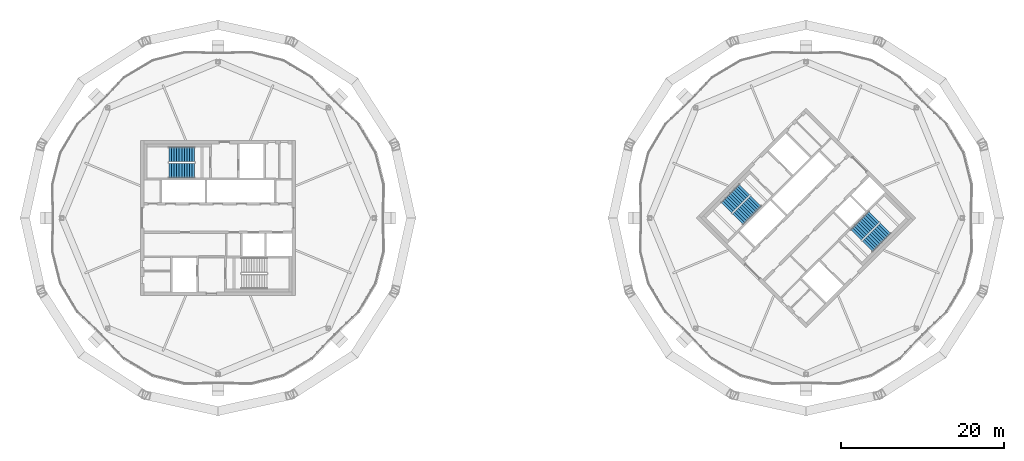
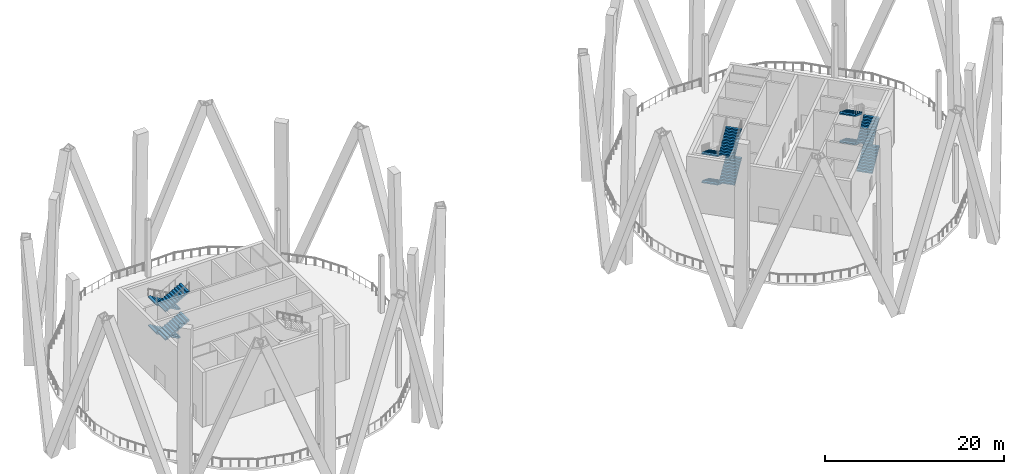
# One storey, part 8 of 13: 12 stair flights, 3 elements without a shape of their own.
"""IFC4 building model written with IfcOpenShell, lengths in metres."""

from ifc_helpers import new_model, si_unit, direction, frame, origin, place, context, subcontext, project, spatial, polyline, outline, extrude, material, type_object, element, aggregate, save


model = new_model("IFC4")

# Units and contexts
model_context = context("Model", 3, precision=1e-05, world=origin(), true_north=direction((0.0, 1.0)))
body_context = subcontext(model_context, "Body", "Model", "MODEL_VIEW")
ifc_project = project(units=[si_unit("LENGTHUNIT", "METRE"), si_unit("AREAUNIT", "SQUARE_METRE"), si_unit("VOLUMEUNIT", "CUBIC_METRE"), si_unit("PLANEANGLEUNIT", "RADIAN"), si_unit("MASSUNIT", "GRAM", prefix="KILO")], contexts=[model_context])

# Site, building, storey
site_placement = place(None, origin())
site = spatial("IfcSite", under=ifc_project, at=site_placement, CompositionType="ELEMENT")
building_placement = place(site_placement, origin())
building = spatial("IfcBuilding", under=site, at=building_placement, Name="Ogive Gate Towers", CompositionType="ELEMENT")
storey_placement = place(building_placement, frame((0.0, 0.0, 221.10009765625)))
storey = spatial("IfcBuildingStorey", under=building, at=storey_placement, Name="L53", CompositionType="ELEMENT", Elevation=221.10009765625)

# Stair, stair flights
ifc_material = material(Name="Concrete C40/50", Category="concrete")
stair_type = type_object("IfcStairType", Name="Escape stair 1840 wide", PredefinedType="HALF_TURN_STAIR", material=ifc_material)
stair_1_placement = place(storey_placement, origin())
stair_1 = element("IfcStair", 1, at=stair_1_placement, inside=storey, type_object=stair_type, Name="L53 Escape stair 1", PredefinedType="HALF_TURN_STAIR")
stair_flight_type = type_object("IfcStairFlightType", Name="Stair flight 1840 wide", PredefinedType="STRAIGHT", material=ifc_material)
stair_flight_1_placement = place(storey_placement, frame((-38.864990234375, 7.780029296875, 0.0), z_axis=(0.0, 0.0, 1.0), x_axis=(-1.0, 0.0, 0.0)))
stair_flight_1 = element("IfcStairFlight", 2, at=stair_flight_1_placement, type_object=stair_flight_type, Name="ST1 flight 1", NumberOfRisers=11, NumberOfTreads=10, PredefinedType="STRAIGHT", RiserHeight=0.177272727, TreadLength=0.313636364, context=body_context, shape_type="SweptSolid", body=[
    extrude(outline(polyline([(0.0, 0.0), (0.0, 0.17724609375), (0.313720703125, 0.17724609375), (0.313720703125, 0.3544921875), (0.627197265625, 0.3544921875), (0.627197265625, 0.53173828125), (0.94091796875, 0.53173828125), (0.94091796875, 0.708984375), (1.254638671875, 0.708984375), (1.254638671875, 0.886474609375), (1.568115234375, 0.886474609375), (1.568115234375, 1.063720703125), (1.8818359375, 1.063720703125), (1.8818359375, 1.240966796875), (2.195556640625, 1.240966796875), (2.195556640625, 1.418212890625), (2.509033203125, 1.418212890625), (2.509033203125, 1.595458984375), (2.82275390625, 1.595458984375), (2.82275390625, 1.772705078125), (3.136474609375, 1.772705078125), (3.136474609375, 1.949951171875), (3.136474609375, 1.6005859375), (0.3046875, 0.0), (0.0, 0.0)])), frame((0.0, 0.919921875, 0.0), z_axis=(0.0, -1.0, 0.0), x_axis=(1.0, 0.0, 0.0)), (0.0, 0.0, 1.0), 1.840087890625),
])
stair_flight_2_placement = place(storey_placement, frame((-42.00146484375, 5.794921875, 1.949951171875), z_axis=(0.0, 0.0, 1.0), x_axis=(1.0, 0.0, 0.0)))
stair_flight_2 = element("IfcStairFlight", 3, at=stair_flight_2_placement, type_object=stair_flight_type, Name="ST1 flight 2", NumberOfRisers=11, NumberOfTreads=10, PredefinedType="STRAIGHT", RiserHeight=0.177272727, TreadLength=0.313636364, context=body_context, shape_type="SweptSolid", body=[
    extrude(outline(polyline([(0.0, 0.0), (0.0, 0.17724609375), (0.313720703125, 0.17724609375), (0.313720703125, 0.3544921875), (0.627197265625, 0.3544921875), (0.627197265625, 0.53173828125), (0.94091796875, 0.53173828125), (0.94091796875, 0.708984375), (1.254638671875, 0.708984375), (1.254638671875, 0.886474609375), (1.568115234375, 0.886474609375), (1.568115234375, 1.063720703125), (1.8818359375, 1.063720703125), (1.8818359375, 1.240966796875), (2.195556640625, 1.240966796875), (2.195556640625, 1.418212890625), (2.509033203125, 1.418212890625), (2.509033203125, 1.595458984375), (2.82275390625, 1.595458984375), (2.82275390625, 1.772705078125), (3.136474609375, 1.772705078125), (3.136474609375, 1.949951171875), (3.136474609375, 1.6005859375), (0.3046875, 0.0), (0.0, 0.0)])), frame((0.0, 0.919921875, 0.0), z_axis=(0.0, -1.0, 0.0), x_axis=(1.0, 0.0, 0.0)), (0.0, 0.0, 1.0), 1.840087890625),
])
stair_flight_3_placement = place(storey_placement, frame((-38.864990234375, 7.780029296875, 3.89990234375), z_axis=(0.0, 0.0, 1.0), x_axis=(-1.0, 0.0, 0.0)))
stair_flight_3 = element("IfcStairFlight", 4, at=stair_flight_3_placement, type_object=stair_flight_type, Name="ST1 flight 3", NumberOfRisers=11, NumberOfTreads=10, PredefinedType="STRAIGHT", RiserHeight=0.177272727, TreadLength=0.313636364, context=body_context, shape_type="SweptSolid", body=[
    extrude(outline(polyline([(0.0, 0.0), (0.0, 0.17724609375), (0.313720703125, 0.17724609375), (0.313720703125, 0.3544921875), (0.627197265625, 0.3544921875), (0.627197265625, 0.53173828125), (0.94091796875, 0.53173828125), (0.94091796875, 0.708984375), (1.254638671875, 0.708984375), (1.254638671875, 0.886474609375), (1.568115234375, 0.886474609375), (1.568115234375, 1.063720703125), (1.8818359375, 1.063720703125), (1.8818359375, 1.240966796875), (2.195556640625, 1.240966796875), (2.195556640625, 1.418212890625), (2.509033203125, 1.418212890625), (2.509033203125, 1.595458984375), (2.82275390625, 1.595458984375), (2.82275390625, 1.772705078125), (3.136474609375, 1.772705078125), (3.136474609375, 1.949951171875), (3.136474609375, 1.6005859375), (0.3046875, 0.0), (0.0, 0.0)])), frame((0.0, 0.919921875, 0.0), z_axis=(0.0, -1.0, 0.0), x_axis=(1.0, 0.0, 0.0)), (0.0, 0.0, 1.0), 1.840087890625),
])
stair_flight_4_placement = place(storey_placement, frame((-42.00146484375, 5.794921875, 5.849853515625), z_axis=(0.0, 0.0, 1.0), x_axis=(1.0, 0.0, 0.0)))
stair_flight_4 = element("IfcStairFlight", 5, at=stair_flight_4_placement, type_object=stair_flight_type, Name="ST1 flight 4", NumberOfRisers=11, NumberOfTreads=10, PredefinedType="STRAIGHT", RiserHeight=0.177272727, TreadLength=0.313636364, context=body_context, shape_type="SweptSolid", body=[
    extrude(outline(polyline([(0.0, 0.0), (0.0, 0.17724609375), (0.313720703125, 0.17724609375), (0.313720703125, 0.3544921875), (0.627197265625, 0.3544921875), (0.627197265625, 0.53173828125), (0.94091796875, 0.53173828125), (0.94091796875, 0.708984375), (1.254638671875, 0.708984375), (1.254638671875, 0.886474609375), (1.568115234375, 0.886474609375), (1.568115234375, 1.063720703125), (1.8818359375, 1.063720703125), (1.8818359375, 1.240966796875), (2.195556640625, 1.240966796875), (2.195556640625, 1.418212890625), (2.509033203125, 1.418212890625), (2.509033203125, 1.595458984375), (2.82275390625, 1.595458984375), (2.82275390625, 1.772705078125), (3.136474609375, 1.772705078125), (3.136474609375, 1.949951171875), (3.136474609375, 1.6005859375), (0.3046875, 0.0), (0.0, 0.0)])), frame((0.0, 0.919921875, 0.0), z_axis=(0.0, -1.0, 0.0), x_axis=(1.0, 0.0, 0.0)), (0.0, 0.0, 1.0), 1.840087890625),
])
aggregate(stair_1, [stair_flight_1, stair_flight_2, stair_flight_3, stair_flight_4])

stair_2_placement = place(storey_placement, origin())
stair_2 = element("IfcStair", 6, at=stair_2_placement, inside=storey, type_object=stair_type, Name="L53 Escape stair 1", PredefinedType="HALF_TURN_STAIR")
stair_flight_5_placement = place(storey_placement, frame((28.472900390625, 3.475341796875, 0.0), z_axis=(0.0, 0.0, 1.0), x_axis=(-0.707106781187, -0.707106781187, 0.0)))
stair_flight_5 = element("IfcStairFlight", 7, at=stair_flight_5_placement, type_object=stair_flight_type, Name="ST1 flight 1", NumberOfRisers=11, NumberOfTreads=10, PredefinedType="STRAIGHT", RiserHeight=0.177272727, TreadLength=0.313636364, context=body_context, shape_type="SweptSolid", body=[
    extrude(outline(polyline([(0.0, 0.0), (0.0, 0.17724609375), (0.313720703125, 0.17724609375), (0.313720703125, 0.3544921875), (0.627197265625, 0.3544921875), (0.627197265625, 0.53173828125), (0.94091796875, 0.53173828125), (0.94091796875, 0.708984375), (1.254638671875, 0.708984375), (1.254638671875, 0.886474609375), (1.568115234375, 0.886474609375), (1.568115234375, 1.063720703125), (1.8818359375, 1.063720703125), (1.8818359375, 1.240966796875), (2.195556640625, 1.240966796875), (2.195556640625, 1.418212890625), (2.509033203125, 1.418212890625), (2.509033203125, 1.595458984375), (2.82275390625, 1.595458984375), (2.82275390625, 1.772705078125), (3.136474609375, 1.772705078125), (3.136474609375, 1.949951171875), (3.136474609375, 1.6005859375), (0.3046875, 0.0), (0.0, 0.0)])), frame((0.0, 0.919921875, 0.0), z_axis=(0.0, -1.0, 0.0), x_axis=(1.0, 0.0, 0.0)), (0.0, 0.0, 1.0), 1.840087890625),
])
stair_flight_6_placement = place(storey_placement, frame((27.65869140625, -0.14599609375, 1.949951171875), z_axis=(0.0, 0.0, 1.0), x_axis=(0.707106781187, 0.707106781187, 0.0)))
stair_flight_6 = element("IfcStairFlight", 8, at=stair_flight_6_placement, type_object=stair_flight_type, Name="ST1 flight 2", NumberOfRisers=11, NumberOfTreads=10, PredefinedType="STRAIGHT", RiserHeight=0.177272727, TreadLength=0.313636364, context=body_context, shape_type="SweptSolid", body=[
    extrude(outline(polyline([(0.0, 0.0), (0.0, 0.17724609375), (0.313720703125, 0.17724609375), (0.313720703125, 0.3544921875), (0.627197265625, 0.3544921875), (0.627197265625, 0.53173828125), (0.94091796875, 0.53173828125), (0.94091796875, 0.708984375), (1.254638671875, 0.708984375), (1.254638671875, 0.886474609375), (1.568115234375, 0.886474609375), (1.568115234375, 1.063720703125), (1.8818359375, 1.063720703125), (1.8818359375, 1.240966796875), (2.195556640625, 1.240966796875), (2.195556640625, 1.418212890625), (2.509033203125, 1.418212890625), (2.509033203125, 1.595458984375), (2.82275390625, 1.595458984375), (2.82275390625, 1.772705078125), (3.136474609375, 1.772705078125), (3.136474609375, 1.949951171875), (3.136474609375, 1.6005859375), (0.3046875, 0.0), (0.0, 0.0)])), frame((0.0, 0.919921875, 0.0), z_axis=(0.0, -1.0, 0.0), x_axis=(1.0, 0.0, 0.0)), (0.0, 0.0, 1.0), 1.840087890625),
])
stair_flight_7_placement = place(storey_placement, frame((28.472900390625, 3.475341796875, 3.89990234375), z_axis=(0.0, 0.0, 1.0), x_axis=(-0.707106781187, -0.707106781187, 0.0)))
stair_flight_7 = element("IfcStairFlight", 9, at=stair_flight_7_placement, type_object=stair_flight_type, Name="ST1 flight 3", NumberOfRisers=11, NumberOfTreads=10, PredefinedType="STRAIGHT", RiserHeight=0.177272727, TreadLength=0.313636364, context=body_context, shape_type="SweptSolid", body=[
    extrude(outline(polyline([(0.0, 0.0), (0.0, 0.17724609375), (0.313720703125, 0.17724609375), (0.313720703125, 0.3544921875), (0.627197265625, 0.3544921875), (0.627197265625, 0.53173828125), (0.94091796875, 0.53173828125), (0.94091796875, 0.708984375), (1.254638671875, 0.708984375), (1.254638671875, 0.886474609375), (1.568115234375, 0.886474609375), (1.568115234375, 1.063720703125), (1.8818359375, 1.063720703125), (1.8818359375, 1.240966796875), (2.195556640625, 1.240966796875), (2.195556640625, 1.418212890625), (2.509033203125, 1.418212890625), (2.509033203125, 1.595458984375), (2.82275390625, 1.595458984375), (2.82275390625, 1.772705078125), (3.136474609375, 1.772705078125), (3.136474609375, 1.949951171875), (3.136474609375, 1.6005859375), (0.3046875, 0.0), (0.0, 0.0)])), frame((0.0, 0.919921875, 0.0), z_axis=(0.0, -1.0, 0.0), x_axis=(1.0, 0.0, 0.0)), (0.0, 0.0, 1.0), 1.840087890625),
])
stair_flight_8_placement = place(storey_placement, frame((27.65869140625, -0.14599609375, 5.849853515625), z_axis=(0.0, 0.0, 1.0), x_axis=(0.707106781187, 0.707106781187, 0.0)))
stair_flight_8 = element("IfcStairFlight", 10, at=stair_flight_8_placement, type_object=stair_flight_type, Name="ST1 flight 4", NumberOfRisers=11, NumberOfTreads=10, PredefinedType="STRAIGHT", RiserHeight=0.177272727, TreadLength=0.313636364, context=body_context, shape_type="SweptSolid", body=[
    extrude(outline(polyline([(0.0, 0.0), (0.0, 0.17724609375), (0.313720703125, 0.17724609375), (0.313720703125, 0.3544921875), (0.627197265625, 0.3544921875), (0.627197265625, 0.53173828125), (0.94091796875, 0.53173828125), (0.94091796875, 0.708984375), (1.254638671875, 0.708984375), (1.254638671875, 0.886474609375), (1.568115234375, 0.886474609375), (1.568115234375, 1.063720703125), (1.8818359375, 1.063720703125), (1.8818359375, 1.240966796875), (2.195556640625, 1.240966796875), (2.195556640625, 1.418212890625), (2.509033203125, 1.418212890625), (2.509033203125, 1.595458984375), (2.82275390625, 1.595458984375), (2.82275390625, 1.772705078125), (3.136474609375, 1.772705078125), (3.136474609375, 1.949951171875), (3.136474609375, 1.6005859375), (0.3046875, 0.0), (0.0, 0.0)])), frame((0.0, 0.919921875, 0.0), z_axis=(0.0, -1.0, 0.0), x_axis=(1.0, 0.0, 0.0)), (0.0, 0.0, 1.0), 1.840087890625),
])
aggregate(stair_2, [stair_flight_5, stair_flight_6, stair_flight_7, stair_flight_8])

stair_3_placement = place(storey_placement, origin())
stair_3 = element("IfcStair", 11, at=stair_3_placement, inside=storey, type_object=stair_type, Name="L53 Escape stair 2", PredefinedType="HALF_TURN_STAIR")
stair_flight_9_placement = place(storey_placement, frame((43.527099609375, -3.475341796875, 0.0), z_axis=(0.0, 0.0, 1.0), x_axis=(0.707106781187, 0.707106781187, 0.0)))
stair_flight_9 = element("IfcStairFlight", 12, at=stair_flight_9_placement, type_object=stair_flight_type, Name="ST2 flight 1", NumberOfRisers=11, NumberOfTreads=10, PredefinedType="STRAIGHT", RiserHeight=0.177272727, TreadLength=0.313636364, context=body_context, shape_type="SweptSolid", body=[
    extrude(outline(polyline([(0.0, 0.0), (0.0, 0.17724609375), (0.313720703125, 0.17724609375), (0.313720703125, 0.3544921875), (0.627197265625, 0.3544921875), (0.627197265625, 0.53173828125), (0.94091796875, 0.53173828125), (0.94091796875, 0.708984375), (1.254638671875, 0.708984375), (1.254638671875, 0.886474609375), (1.568115234375, 0.886474609375), (1.568115234375, 1.063720703125), (1.8818359375, 1.063720703125), (1.8818359375, 1.240966796875), (2.195556640625, 1.240966796875), (2.195556640625, 1.418212890625), (2.509033203125, 1.418212890625), (2.509033203125, 1.595458984375), (2.82275390625, 1.595458984375), (2.82275390625, 1.772705078125), (3.136474609375, 1.772705078125), (3.136474609375, 1.949951171875), (3.136474609375, 1.6005859375), (0.3046875, 0.0), (0.0, 0.0)])), frame((0.0, 0.919921875, 0.0), z_axis=(0.0, -1.0, 0.0), x_axis=(1.0, 0.0, 0.0)), (0.0, 0.0, 1.0), 1.840087890625),
])
stair_flight_10_placement = place(storey_placement, frame((44.34130859375, 0.14599609375, 1.949951171875), z_axis=(0.0, 0.0, 1.0), x_axis=(-0.707106781187, -0.707106781187, 0.0)))
stair_flight_10 = element("IfcStairFlight", 13, at=stair_flight_10_placement, type_object=stair_flight_type, Name="ST2 flight 2", NumberOfRisers=11, NumberOfTreads=10, PredefinedType="STRAIGHT", RiserHeight=0.177272727, TreadLength=0.313636364, context=body_context, shape_type="SweptSolid", body=[
    extrude(outline(polyline([(0.0, 0.0), (0.0, 0.17724609375), (0.313720703125, 0.17724609375), (0.313720703125, 0.3544921875), (0.627197265625, 0.3544921875), (0.627197265625, 0.53173828125), (0.94091796875, 0.53173828125), (0.94091796875, 0.708984375), (1.254638671875, 0.708984375), (1.254638671875, 0.886474609375), (1.568115234375, 0.886474609375), (1.568115234375, 1.063720703125), (1.8818359375, 1.063720703125), (1.8818359375, 1.240966796875), (2.195556640625, 1.240966796875), (2.195556640625, 1.418212890625), (2.509033203125, 1.418212890625), (2.509033203125, 1.595458984375), (2.82275390625, 1.595458984375), (2.82275390625, 1.772705078125), (3.136474609375, 1.772705078125), (3.136474609375, 1.949951171875), (3.136474609375, 1.6005859375), (0.3046875, 0.0), (0.0, 0.0)])), frame((0.0, 0.919921875, 0.0), z_axis=(0.0, -1.0, 0.0), x_axis=(1.0, 0.0, 0.0)), (0.0, 0.0, 1.0), 1.840087890625),
])
stair_flight_11_placement = place(storey_placement, frame((43.527099609375, -3.475341796875, 3.89990234375), z_axis=(0.0, 0.0, 1.0), x_axis=(0.707106781187, 0.707106781187, 0.0)))
stair_flight_11 = element("IfcStairFlight", 14, at=stair_flight_11_placement, type_object=stair_flight_type, Name="ST2 flight 3", NumberOfRisers=11, NumberOfTreads=10, PredefinedType="STRAIGHT", RiserHeight=0.177272727, TreadLength=0.313636364, context=body_context, shape_type="SweptSolid", body=[
    extrude(outline(polyline([(0.0, 0.0), (0.0, 0.17724609375), (0.313720703125, 0.17724609375), (0.313720703125, 0.3544921875), (0.627197265625, 0.3544921875), (0.627197265625, 0.53173828125), (0.94091796875, 0.53173828125), (0.94091796875, 0.708984375), (1.254638671875, 0.708984375), (1.254638671875, 0.886474609375), (1.568115234375, 0.886474609375), (1.568115234375, 1.063720703125), (1.8818359375, 1.063720703125), (1.8818359375, 1.240966796875), (2.195556640625, 1.240966796875), (2.195556640625, 1.418212890625), (2.509033203125, 1.418212890625), (2.509033203125, 1.595458984375), (2.82275390625, 1.595458984375), (2.82275390625, 1.772705078125), (3.136474609375, 1.772705078125), (3.136474609375, 1.949951171875), (3.136474609375, 1.6005859375), (0.3046875, 0.0), (0.0, 0.0)])), frame((0.0, 0.919921875, 0.0), z_axis=(0.0, -1.0, 0.0), x_axis=(1.0, 0.0, 0.0)), (0.0, 0.0, 1.0), 1.840087890625),
])
stair_flight_12_placement = place(storey_placement, frame((44.34130859375, 0.14599609375, 5.849853515625), z_axis=(0.0, 0.0, 1.0), x_axis=(-0.707106781187, -0.707106781187, 0.0)))
stair_flight_12 = element("IfcStairFlight", 15, at=stair_flight_12_placement, type_object=stair_flight_type, Name="ST2 flight 4", NumberOfRisers=11, NumberOfTreads=10, PredefinedType="STRAIGHT", RiserHeight=0.177272727, TreadLength=0.313636364, context=body_context, shape_type="SweptSolid", body=[
    extrude(outline(polyline([(0.0, 0.0), (0.0, 0.17724609375), (0.313720703125, 0.17724609375), (0.313720703125, 0.3544921875), (0.627197265625, 0.3544921875), (0.627197265625, 0.53173828125), (0.94091796875, 0.53173828125), (0.94091796875, 0.708984375), (1.254638671875, 0.708984375), (1.254638671875, 0.886474609375), (1.568115234375, 0.886474609375), (1.568115234375, 1.063720703125), (1.8818359375, 1.063720703125), (1.8818359375, 1.240966796875), (2.195556640625, 1.240966796875), (2.195556640625, 1.418212890625), (2.509033203125, 1.418212890625), (2.509033203125, 1.595458984375), (2.82275390625, 1.595458984375), (2.82275390625, 1.772705078125), (3.136474609375, 1.772705078125), (3.136474609375, 1.949951171875), (3.136474609375, 1.6005859375), (0.3046875, 0.0), (0.0, 0.0)])), frame((0.0, 0.919921875, 0.0), z_axis=(0.0, -1.0, 0.0), x_axis=(1.0, 0.0, 0.0)), (0.0, 0.0, 1.0), 1.840087890625),
])
aggregate(stair_3, [stair_flight_9, stair_flight_10, stair_flight_11, stair_flight_12])

save(model, "model.ifc")
